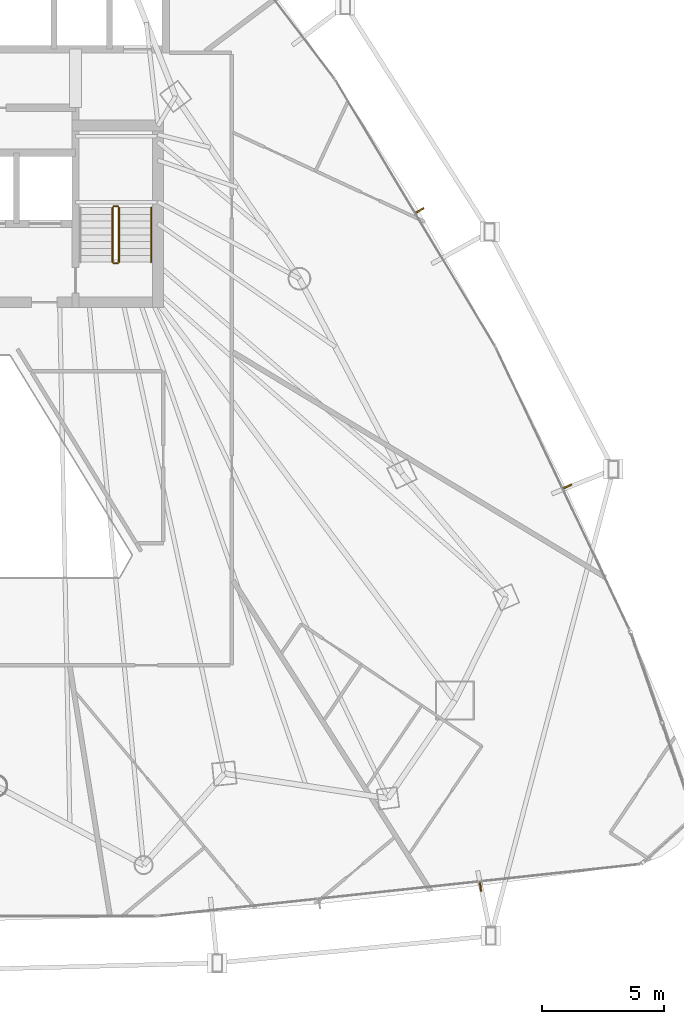
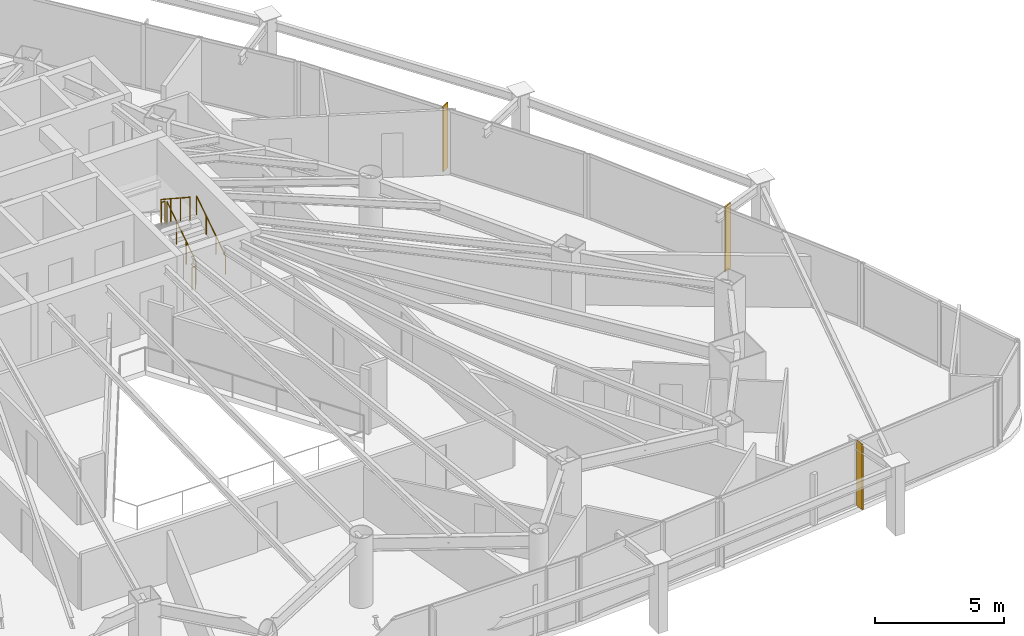
# One storey, part 37 of 38: 5 railings, 3 shading devices.
"""IFC4 building model written with IfcOpenShell, lengths in metres."""

from ifc_helpers import new_model, si_unit, direction, frame, origin, origin_2d, place, context, subcontext, project, spatial, rectangle, circle, extrude, material, layer, layer_set, type_object, element, save


model = new_model("IFC4")

# Units and contexts
model_context = context("Model", 3, precision=1e-05, world=origin(), true_north=direction((0.0, 1.0)))
body_context = subcontext(model_context, "Body", "Model", "MODEL_VIEW")
ifc_project = project(units=[si_unit("LENGTHUNIT", "METRE"), si_unit("AREAUNIT", "SQUARE_METRE"), si_unit("VOLUMEUNIT", "CUBIC_METRE"), si_unit("PLANEANGLEUNIT", "RADIAN"), si_unit("MASSUNIT", "GRAM", prefix="KILO")], contexts=[model_context])

# Site, building, storey
site_placement = place(None, origin())
site = spatial("IfcSite", under=ifc_project, at=site_placement, CompositionType="ELEMENT")
building_placement = place(site_placement, origin())
building = spatial("IfcBuilding", under=site, at=building_placement, Name="Orvanel Arch Residences", CompositionType="ELEMENT")
storey_placement = place(building_placement, frame((0.0, 0.0, 50.0)))
storey = spatial("IfcBuildingStorey", under=building, at=storey_placement, Name="L13", CompositionType="ELEMENT", Elevation=50.0)

# Shading devices
ifc_material_1 = material(Name="Bronze-anodised aluminium AA6063-T6", Category="aluminium")
ifc_layer = layer(ifc_material_1, 0.06005859375)
ifc_layer_set = layer_set([ifc_layer], Name="Bronze-anodised aluminium AA6063-T6")
shading_device_type = type_object("IfcShadingDeviceType", Name="FIN-BRZ-380", PredefinedType="USERDEFINED", material=ifc_layer_set)
for number, where, z_axis, x_axis, name in (
    (1, (52.85009765625, 2.716064453125, 0.0), (0.0, 0.0, 1.0), (0.106264071336, -0.994337944133, 0.0), "L13 Anodised Bronze Mullion FIN 02"),
    (2, (56.41796875, 19.1259765625, 0.0), (0.0, 0.0, 1.0), (0.903335292863, 0.428935133403, 0.0), "L13 Anodised Bronze Mullion FIN 01"),
    (3, (50.364013671875, 30.43798828125, 0.0), (0.0, 0.0, 1.0), (0.857167300702, 0.51503807491, 0.0), "L13 Anodised Bronze Mullion FIN 01"),
):
    element("IfcShadingDevice", number, at=place(storey_placement, frame(where, z_axis=z_axis, x_axis=x_axis)), inside=storey, type_object=shading_device_type, Name=name, ObjectType="FIN", PredefinedType="USERDEFINED", context=body_context, shape_type="SweptSolid", body=[
        extrude(rectangle(XDim=0.3798828125, YDim=0.06005859375, at=origin_2d()), origin(), (0.0, 0.0, 1.0), 3.06005859375),
    ])

# Railings
ifc_material_2 = material(Name="Structural steel AS/NZS 1163 C350L0 (Grade 350)", Category="steel")
railing_type_1 = type_object("IfcRailingType", Name="RL-STAIR-GUARD", PredefinedType="GUARDRAIL", material=ifc_material_2)
railing_1_placement = place(storey_placement, frame((38.030029296875, 28.320068359375, 0.183349609375)))
element("IfcRailing", 4, at=railing_1_placement, inside=storey, type_object=railing_type_1, Name="L13 ST-2 stair guard 1", PredefinedType="GUARDRAIL", context=body_context, shape_type="SweptSolid", body=[
    extrude(circle(Radius=0.02392578125, at=origin_2d()), frame((0.0, 0.001220703125, 1.076904296875), z_axis=(0.0, 0.836636935527, 0.547757827979), x_axis=(-1.0, 0.0, 0.0)), (0.0, 0.0, 1.0), 2.67431640625),
    extrude(circle(Radius=0.02099609375, at=origin_2d()), origin(), (0.0, 0.0, 1.0), 1.050048828125),
    extrude(circle(Radius=0.02099609375, at=origin_2d()), frame((0.0, 0.74658203125, 0.48876953125)), (0.0, 0.0, 1.0), 1.050048828125),
    extrude(circle(Radius=0.02099609375, at=origin_2d()), frame((0.0, 1.493408203125, 0.977783203125)), (0.0, 0.0, 1.0), 1.050048828125),
    extrude(circle(Radius=0.02099609375, at=origin_2d()), frame((0.0, 2.239990234375, 1.466552734375)), (0.0, 0.0, 1.0), 1.050048828125),
])
railing_2_placement = place(storey_placement, frame((37.97998046875, 30.610107421875, 1.64990234375)))
element("IfcRailing", 5, at=railing_2_placement, inside=storey, type_object=railing_type_1, Name="L13 ST-2 stair guard 2", PredefinedType="GUARDRAIL", context=body_context, shape_type="SweptSolid", body=[
    extrude(circle(Radius=0.02392578125, at=origin_2d()), frame((-0.00146484375, 0.0, 1.076171875), z_axis=(-1.0, 0.0, 0.0), x_axis=(0.0, -1.0, 0.0)), (0.0, 0.0, 1.0), 0.156982421875),
    extrude(circle(Radius=0.02099609375, at=origin_2d()), origin(), (0.0, 0.0, 1.0), 1.050048828125),
    extrude(circle(Radius=0.02099609375, at=origin_2d()), frame((-0.159912109375, 0.0, 0.0)), (0.0, 0.0, 1.0), 1.050048828125),
])
railing_3_placement = place(storey_placement, frame((37.77001953125, 30.56005859375, 1.833251953125)))
element("IfcRailing", 6, at=railing_3_placement, inside=storey, type_object=railing_type_1, Name="L13 ST-2 stair guard 3", PredefinedType="GUARDRAIL", context=body_context, shape_type="SweptSolid", body=[
    extrude(circle(Radius=0.02392578125, at=origin_2d()), frame((0.0, -0.001220703125, 1.076904296875), z_axis=(0.0, -0.836595146698, 0.547821650285), x_axis=(1.0, 0.0, 0.0)), (0.0, 0.0, 1.0), 2.674560546875),
    extrude(circle(Radius=0.02099609375, at=origin_2d()), origin(), (0.0, 0.0, 1.0), 1.050048828125),
    extrude(circle(Radius=0.02099609375, at=origin_2d()), frame((0.0, -0.74658203125, 0.489013671875)), (0.0, 0.0, 1.0), 1.050048828125),
    extrude(circle(Radius=0.02099609375, at=origin_2d()), frame((0.0, -1.493408203125, 0.977783203125)), (0.0, 0.0, 1.0), 1.050048828125),
    extrude(circle(Radius=0.02099609375, at=origin_2d()), frame((0.0, -2.239990234375, 1.466796875)), (0.0, 0.0, 1.0), 1.050048828125),
])
railing_4_placement = place(storey_placement, frame((37.97998046875, 28.27001953125, 0.0)))
element("IfcRailing", 7, at=railing_4_placement, inside=storey, type_object=railing_type_1, Name="L13 ST-2 stair guard 4", PredefinedType="GUARDRAIL", context=body_context, shape_type="SweptSolid", body=[
    extrude(circle(Radius=0.02392578125, at=origin_2d()), frame((-0.00146484375, 0.0, 1.076171875), z_axis=(-1.0, 0.0, 0.0), x_axis=(0.0, -1.0, 0.0)), (0.0, 0.0, 1.0), 0.156982421875),
    extrude(circle(Radius=0.02099609375, at=origin_2d()), origin(), (0.0, 0.0, 1.0), 1.050048828125),
    extrude(circle(Radius=0.02099609375, at=origin_2d()), frame((-0.159912109375, 0.0, 0.0)), (0.0, 0.0, 1.0), 1.050048828125),
])
railing_type_2 = type_object("IfcRailingType", Name="RL-STAIR-HAND", PredefinedType="HANDRAIL", material=ifc_material_2)
railing_5_placement = place(storey_placement, frame((39.35009765625, 28.320068359375, 0.183349609375)))
element("IfcRailing", 8, at=railing_5_placement, inside=storey, type_object=railing_type_2, Name="L13 ST-2 stair handrail 1", PredefinedType="HANDRAIL", context=body_context, shape_type="SweptSolid", body=[
    extrude(circle(Radius=0.02392578125, at=origin_2d()), frame((0.0, 0.001220703125, 0.876708984375), z_axis=(0.0, 0.836636935527, 0.547757827979), x_axis=(-1.0, 0.0, 0.0)), (0.0, 0.0, 1.0), 2.67431640625),
    extrude(circle(Radius=0.02099609375, at=origin_2d()), origin(), (0.0, 0.0, 1.0), 0.849853515625),
    extrude(circle(Radius=0.02099609375, at=origin_2d()), frame((0.0, 0.74658203125, 0.48876953125)), (0.0, 0.0, 1.0), 0.849853515625),
    extrude(circle(Radius=0.02099609375, at=origin_2d()), frame((0.0, 1.493408203125, 0.977783203125)), (0.0, 0.0, 1.0), 0.849853515625),
    extrude(circle(Radius=0.02099609375, at=origin_2d()), frame((0.0, 2.239990234375, 1.466552734375)), (0.0, 0.0, 1.0), 0.849853515625),
])

save(model, "model.ifc")
